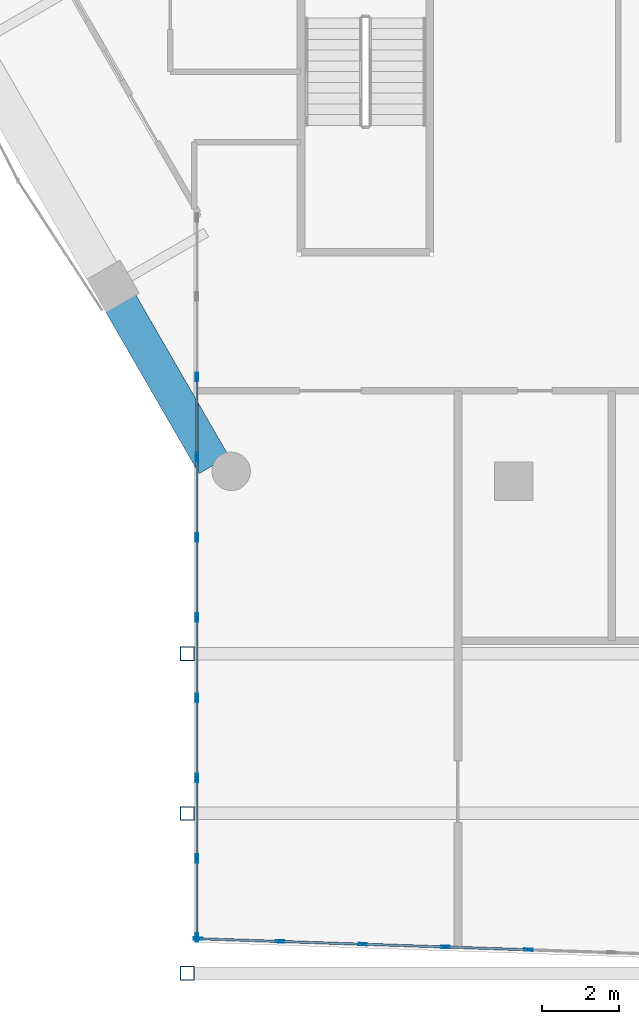
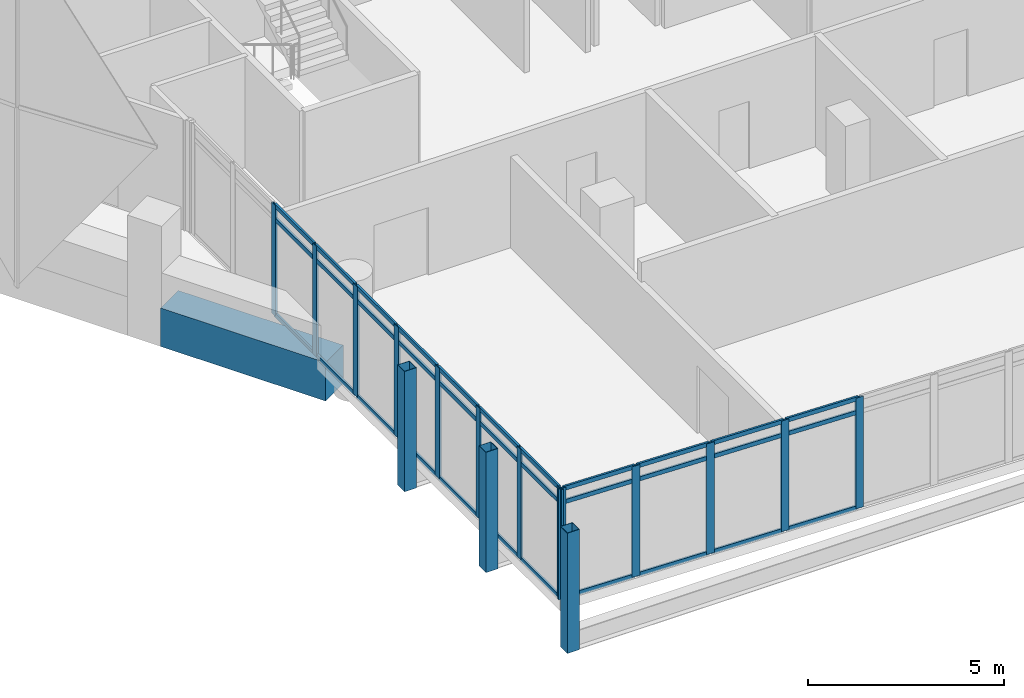
# One storey, part 2 of 37: 49 members, 1 beam, 2 elements without a shape of their own.
"""IFC4 building model written with IfcOpenShell, lengths in metres."""

from ifc_helpers import new_model, si_unit, direction, frame, origin, origin_2d, place, context, subcontext, project, spatial, rectangle, hollow_rectangle, extrude, material, material_profile, profile_set, type_object, element, aggregate, save


model = new_model("IFC4")

# Units and contexts
model_context = context("Model", 3, precision=1e-05, world=origin(), true_north=direction((0.0, 1.0)))
body_context = subcontext(model_context, "Body", "Model", "MODEL_VIEW")
ifc_project = project(units=[si_unit("LENGTHUNIT", "METRE"), si_unit("AREAUNIT", "SQUARE_METRE"), si_unit("VOLUMEUNIT", "CUBIC_METRE"), si_unit("PLANEANGLEUNIT", "RADIAN"), si_unit("MASSUNIT", "GRAM", prefix="KILO")], contexts=[model_context])

# Site, building, storey
site_placement = place(None, origin())
site = spatial("IfcSite", under=ifc_project, at=site_placement, CompositionType="ELEMENT")
building_placement = place(site_placement, origin())
building = spatial("IfcBuilding", under=site, at=building_placement, Name="Ostrander Bayou Hotel Tower", CompositionType="ELEMENT")
storey_placement = place(building_placement, frame((0.0, 0.0, 198.25)))
storey = spatial("IfcBuildingStorey", under=building, at=storey_placement, Name="L49", CompositionType="ELEMENT", Elevation=198.25)

# Curtain wall, members
ifc_material_1 = material(Name="Aluminium and clear glass", Category="aluminium")
curtain_wall_type = type_object("IfcCurtainWallType", Name="CW-BAR glazed wall", PredefinedType="NOTDEFINED", material=ifc_material_1)
curtain_wall_1_placement = place(storey_placement, origin())
curtain_wall_1 = element("IfcCurtainWall", 1, at=curtain_wall_1_placement, inside=storey, type_object=curtain_wall_type, Name="CW-BAR L49:SB4S:E", PredefinedType="NOTDEFINED")
ifc_material_2 = material(Name="Aluminium", Category="aluminium")
ifc_material_profile_1 = material_profile(ifc_material_2, hollow_rectangle(XDim=0.06005859375, YDim=0.219970703125, WallThickness=0.00390625, at=origin_2d()))
ifc_profile_set_1 = profile_set([ifc_material_profile_1], Name="Aluminium")
member_type_1 = type_object("IfcMemberType", Name="CW-BR mullion 60 x 220 mm", PredefinedType="MULLION", material=ifc_profile_set_1)
member_1_placement = place(storey_placement, frame((-11.857177734375, -14.63818359375, 0.0), z_axis=(0.0, 0.0, 1.0), x_axis=(1.0, 0.0, 0.0)))
member_1 = element("IfcMember", 2, at=member_1_placement, type_object=member_type_1, Name="CW-BAR mullion 3", PredefinedType="MULLION", context=body_context, shape_type="SweptSolid", body=[
    extrude(hollow_rectangle(XDim=0.06005859375, YDim=0.219970703125, WallThickness=0.00390625, at=origin_2d()), origin(), (0.0, 0.0, 1.0), 3.449951171875),
])
member_2_placement = place(storey_placement, frame((-11.857177734375, -16.72607421875, 0.0), z_axis=(0.0, 0.0, 1.0), x_axis=(1.0, 0.0, 0.0)))
member_2 = element("IfcMember", 3, at=member_2_placement, type_object=member_type_1, Name="CW-BAR mullion 4", PredefinedType="MULLION", context=body_context, shape_type="SweptSolid", body=[
    extrude(hollow_rectangle(XDim=0.06005859375, YDim=0.219970703125, WallThickness=0.00390625, at=origin_2d()), origin(), (0.0, 0.0, 1.0), 3.449951171875),
])
member_3_placement = place(storey_placement, frame((-11.857177734375, -18.813720703125, 0.0), z_axis=(0.0, 0.0, 1.0), x_axis=(1.0, 0.0, 0.0)))
member_3 = element("IfcMember", 4, at=member_3_placement, type_object=member_type_1, Name="CW-BAR mullion 5", PredefinedType="MULLION", context=body_context, shape_type="SweptSolid", body=[
    extrude(hollow_rectangle(XDim=0.06005859375, YDim=0.219970703125, WallThickness=0.00390625, at=origin_2d()), origin(), (0.0, 0.0, 1.0), 3.449951171875),
])
member_4_placement = place(storey_placement, frame((-11.857177734375, -20.9013671875, 0.0), z_axis=(0.0, 0.0, 1.0), x_axis=(1.0, 0.0, 0.0)))
member_4 = element("IfcMember", 5, at=member_4_placement, type_object=member_type_1, Name="CW-BAR mullion 6", PredefinedType="MULLION", context=body_context, shape_type="SweptSolid", body=[
    extrude(hollow_rectangle(XDim=0.06005859375, YDim=0.219970703125, WallThickness=0.00390625, at=origin_2d()), origin(), (0.0, 0.0, 1.0), 3.449951171875),
])
member_5_placement = place(storey_placement, frame((-11.857177734375, -22.9892578125, 0.0), z_axis=(0.0, 0.0, 1.0), x_axis=(1.0, 0.0, 0.0)))
member_5 = element("IfcMember", 6, at=member_5_placement, type_object=member_type_1, Name="CW-BAR mullion 7", PredefinedType="MULLION", context=body_context, shape_type="SweptSolid", body=[
    extrude(hollow_rectangle(XDim=0.06005859375, YDim=0.219970703125, WallThickness=0.00390625, at=origin_2d()), origin(), (0.0, 0.0, 1.0), 3.449951171875),
])
member_6_placement = place(storey_placement, frame((-11.857177734375, -25.076904296875, 0.0), z_axis=(0.0, 0.0, 1.0), x_axis=(1.0, 0.0, 0.0)))
member_6 = element("IfcMember", 7, at=member_6_placement, type_object=member_type_1, Name="CW-BAR mullion 8", PredefinedType="MULLION", context=body_context, shape_type="SweptSolid", body=[
    extrude(hollow_rectangle(XDim=0.06005859375, YDim=0.219970703125, WallThickness=0.00390625, at=origin_2d()), origin(), (0.0, 0.0, 1.0), 3.449951171875),
])
member_7_placement = place(storey_placement, frame((-11.857177734375, -27.164794921875, 0.0), z_axis=(0.0, 0.0, 1.0), x_axis=(1.0, 0.0, 0.0)))
member_7 = element("IfcMember", 8, at=member_7_placement, type_object=member_type_1, Name="CW-BAR mullion 9", PredefinedType="MULLION", context=body_context, shape_type="SweptSolid", body=[
    extrude(hollow_rectangle(XDim=0.06005859375, YDim=0.219970703125, WallThickness=0.00390625, at=origin_2d()), origin(), (0.0, 0.0, 1.0), 3.449951171875),
])
member_8_placement = place(storey_placement, frame((-11.857177734375, -29.222412109375, 0.0), z_axis=(0.0, 0.0, 1.0), x_axis=(1.0, 0.0, 0.0)))
member_8 = element("IfcMember", 9, at=member_8_placement, type_object=member_type_1, Name="CW-BAR mullion 10", PredefinedType="MULLION", context=body_context, shape_type="SweptSolid", body=[
    extrude(hollow_rectangle(XDim=0.06005859375, YDim=0.219970703125, WallThickness=0.00390625, at=origin_2d()), origin(), (0.0, 0.0, 1.0), 3.449951171875),
])

curtain_wall_2_placement = place(storey_placement, origin())
curtain_wall_2 = element("IfcCurtainWall", 10, at=curtain_wall_2_placement, inside=storey, type_object=curtain_wall_type, Name="CW-BAR L49:SB4S:T", PredefinedType="NOTDEFINED")
member_9_placement = place(storey_placement, frame((-11.8271484375, -29.25341796875, 0.0), z_axis=(0.0, 0.0, 1.0), x_axis=(0.03350511268, 0.999438546097, 0.0)))
member_9 = element("IfcMember", 11, at=member_9_placement, type_object=member_type_1, Name="CW-BAR mullion 1", PredefinedType="MULLION", context=body_context, shape_type="SweptSolid", body=[
    extrude(hollow_rectangle(XDim=0.06005859375, YDim=0.219970703125, WallThickness=0.00390625, at=origin_2d()), origin(), (0.0, 0.0, 1.0), 3.449951171875),
])
member_10_placement = place(storey_placement, frame((-9.701416015625, -29.32470703125, 0.0), z_axis=(0.0, 0.0, 1.0), x_axis=(0.03350511268, 0.999438546097, 0.0)))
member_10 = element("IfcMember", 12, at=member_10_placement, type_object=member_type_1, Name="CW-BAR mullion 2", PredefinedType="MULLION", context=body_context, shape_type="SweptSolid", body=[
    extrude(hollow_rectangle(XDim=0.06005859375, YDim=0.219970703125, WallThickness=0.00390625, at=origin_2d()), origin(), (0.0, 0.0, 1.0), 3.449951171875),
])
member_11_placement = place(storey_placement, frame((-7.54541015625, -29.39697265625, 0.0), z_axis=(0.0, 0.0, 1.0), x_axis=(0.03350511268, 0.999438546097, 0.0)))
member_11 = element("IfcMember", 13, at=member_11_placement, type_object=member_type_1, Name="CW-BAR mullion 3", PredefinedType="MULLION", context=body_context, shape_type="SweptSolid", body=[
    extrude(hollow_rectangle(XDim=0.06005859375, YDim=0.219970703125, WallThickness=0.00390625, at=origin_2d()), origin(), (0.0, 0.0, 1.0), 3.449951171875),
])
member_12_placement = place(storey_placement, frame((-5.3896484375, -29.46923828125, 0.0), z_axis=(0.0, 0.0, 1.0), x_axis=(0.03350511268, 0.999438546097, 0.0)))
member_12 = element("IfcMember", 14, at=member_12_placement, type_object=member_type_1, Name="CW-BAR mullion 4", PredefinedType="MULLION", context=body_context, shape_type="SweptSolid", body=[
    extrude(hollow_rectangle(XDim=0.06005859375, YDim=0.219970703125, WallThickness=0.00390625, at=origin_2d()), origin(), (0.0, 0.0, 1.0), 3.449951171875),
])
member_13_placement = place(storey_placement, frame((-3.23388671875, -29.54150390625, 0.0), z_axis=(0.0, 0.0, 1.0), x_axis=(0.03350511268, 0.999438546097, 0.0)))
member_13 = element("IfcMember", 15, at=member_13_placement, type_object=member_type_1, Name="CW-BAR mullion 5", PredefinedType="MULLION", context=body_context, shape_type="SweptSolid", body=[
    extrude(hollow_rectangle(XDim=0.06005859375, YDim=0.219970703125, WallThickness=0.00390625, at=origin_2d()), origin(), (0.0, 0.0, 1.0), 3.449951171875),
])

# Member
ifc_material_3 = material(Name="Aluminium", Category="aluminium")
ifc_material_profile_2 = material_profile(ifc_material_3, hollow_rectangle(XDim=0.06005859375, YDim=0.1298828125, WallThickness=0.00390625, at=origin_2d()))
ifc_profile_set_2 = profile_set([ifc_material_profile_2], Name="Aluminium")
member_type_2 = type_object("IfcMemberType", Name="CW-BR transom 60 x 130 mm", PredefinedType="USERDEFINED", material=ifc_profile_set_2)
member_14_placement = place(storey_placement, frame((-11.857177734375, -14.668212890625, 0.030029296875), z_axis=(0.0, -1.0, 0.0), x_axis=(1.0, 0.0, 0.0)))
member_14 = element("IfcMember", 16, at=member_14_placement, type_object=member_type_2, Name="CW-BAR transom 3.1", ObjectType="TRANSOM", PredefinedType="USERDEFINED", context=body_context, shape_type="SweptSolid", body=[
    extrude(hollow_rectangle(XDim=0.06005859375, YDim=0.1298828125, WallThickness=0.00390625, at=origin_2d()), origin(), (0.0, 0.0, 1.0), 2.02783203125),
])

member_15_placement = place(storey_placement, frame((-11.857177734375, -14.668212890625, 3.0), z_axis=(0.0, -1.0, 0.0), x_axis=(1.0, 0.0, 0.0)))
member_15 = element("IfcMember", 17, at=member_15_placement, type_object=member_type_2, Name="CW-BAR transom 3.2", ObjectType="TRANSOM", PredefinedType="USERDEFINED", context=body_context, shape_type="SweptSolid", body=[
    extrude(hollow_rectangle(XDim=0.06005859375, YDim=0.1298828125, WallThickness=0.00390625, at=origin_2d()), origin(), (0.0, 0.0, 1.0), 2.02783203125),
])

member_16_placement = place(storey_placement, frame((-11.857177734375, -14.668212890625, 3.419921875), z_axis=(0.0, -1.0, 0.0), x_axis=(1.0, 0.0, 0.0)))
member_16 = element("IfcMember", 18, at=member_16_placement, type_object=member_type_2, Name="CW-BAR transom 3.3", ObjectType="TRANSOM", PredefinedType="USERDEFINED", context=body_context, shape_type="SweptSolid", body=[
    extrude(hollow_rectangle(XDim=0.06005859375, YDim=0.1298828125, WallThickness=0.00390625, at=origin_2d()), origin(), (0.0, 0.0, 1.0), 2.02783203125),
])

member_17_placement = place(storey_placement, frame((-11.857177734375, -16.755859375, 0.030029296875), z_axis=(0.0, -1.0, 0.0), x_axis=(1.0, 0.0, 0.0)))
member_17 = element("IfcMember", 19, at=member_17_placement, type_object=member_type_2, Name="CW-BAR transom 4.1", ObjectType="TRANSOM", PredefinedType="USERDEFINED", context=body_context, shape_type="SweptSolid", body=[
    extrude(hollow_rectangle(XDim=0.06005859375, YDim=0.1298828125, WallThickness=0.00390625, at=origin_2d()), origin(), (0.0, 0.0, 1.0), 2.02783203125),
])

member_18_placement = place(storey_placement, frame((-11.857177734375, -16.755859375, 3.0), z_axis=(0.0, -1.0, 0.0), x_axis=(1.0, 0.0, 0.0)))
member_18 = element("IfcMember", 20, at=member_18_placement, type_object=member_type_2, Name="CW-BAR transom 4.2", ObjectType="TRANSOM", PredefinedType="USERDEFINED", context=body_context, shape_type="SweptSolid", body=[
    extrude(hollow_rectangle(XDim=0.06005859375, YDim=0.1298828125, WallThickness=0.00390625, at=origin_2d()), origin(), (0.0, 0.0, 1.0), 2.02783203125),
])

member_19_placement = place(storey_placement, frame((-11.857177734375, -16.755859375, 3.419921875), z_axis=(0.0, -1.0, 0.0), x_axis=(1.0, 0.0, 0.0)))
member_19 = element("IfcMember", 21, at=member_19_placement, type_object=member_type_2, Name="CW-BAR transom 4.3", ObjectType="TRANSOM", PredefinedType="USERDEFINED", context=body_context, shape_type="SweptSolid", body=[
    extrude(hollow_rectangle(XDim=0.06005859375, YDim=0.1298828125, WallThickness=0.00390625, at=origin_2d()), origin(), (0.0, 0.0, 1.0), 2.02783203125),
])

member_20_placement = place(storey_placement, frame((-11.857177734375, -18.84375, 0.030029296875), z_axis=(0.0, -1.0, 0.0), x_axis=(1.0, 0.0, 0.0)))
member_20 = element("IfcMember", 22, at=member_20_placement, type_object=member_type_2, Name="CW-BAR transom 5.1", ObjectType="TRANSOM", PredefinedType="USERDEFINED", context=body_context, shape_type="SweptSolid", body=[
    extrude(hollow_rectangle(XDim=0.06005859375, YDim=0.1298828125, WallThickness=0.00390625, at=origin_2d()), origin(), (0.0, 0.0, 1.0), 2.02783203125),
])

member_21_placement = place(storey_placement, frame((-11.857177734375, -18.84375, 3.0), z_axis=(0.0, -1.0, 0.0), x_axis=(1.0, 0.0, 0.0)))
member_21 = element("IfcMember", 23, at=member_21_placement, type_object=member_type_2, Name="CW-BAR transom 5.2", ObjectType="TRANSOM", PredefinedType="USERDEFINED", context=body_context, shape_type="SweptSolid", body=[
    extrude(hollow_rectangle(XDim=0.06005859375, YDim=0.1298828125, WallThickness=0.00390625, at=origin_2d()), origin(), (0.0, 0.0, 1.0), 2.02783203125),
])

member_22_placement = place(storey_placement, frame((-11.857177734375, -18.84375, 3.419921875), z_axis=(0.0, -1.0, 0.0), x_axis=(1.0, 0.0, 0.0)))
member_22 = element("IfcMember", 24, at=member_22_placement, type_object=member_type_2, Name="CW-BAR transom 5.3", ObjectType="TRANSOM", PredefinedType="USERDEFINED", context=body_context, shape_type="SweptSolid", body=[
    extrude(hollow_rectangle(XDim=0.06005859375, YDim=0.1298828125, WallThickness=0.00390625, at=origin_2d()), origin(), (0.0, 0.0, 1.0), 2.02783203125),
])

member_23_placement = place(storey_placement, frame((-11.857177734375, -20.931396484375, 0.030029296875), z_axis=(0.0, -1.0, 0.0), x_axis=(1.0, 0.0, 0.0)))
member_23 = element("IfcMember", 25, at=member_23_placement, type_object=member_type_2, Name="CW-BAR transom 6.1", ObjectType="TRANSOM", PredefinedType="USERDEFINED", context=body_context, shape_type="SweptSolid", body=[
    extrude(hollow_rectangle(XDim=0.06005859375, YDim=0.1298828125, WallThickness=0.00390625, at=origin_2d()), origin(), (0.0, 0.0, 1.0), 2.02783203125),
])

member_24_placement = place(storey_placement, frame((-11.857177734375, -20.931396484375, 3.0), z_axis=(0.0, -1.0, 0.0), x_axis=(1.0, 0.0, 0.0)))
member_24 = element("IfcMember", 26, at=member_24_placement, type_object=member_type_2, Name="CW-BAR transom 6.2", ObjectType="TRANSOM", PredefinedType="USERDEFINED", context=body_context, shape_type="SweptSolid", body=[
    extrude(hollow_rectangle(XDim=0.06005859375, YDim=0.1298828125, WallThickness=0.00390625, at=origin_2d()), origin(), (0.0, 0.0, 1.0), 2.02783203125),
])

member_25_placement = place(storey_placement, frame((-11.857177734375, -20.931396484375, 3.419921875), z_axis=(0.0, -1.0, 0.0), x_axis=(1.0, 0.0, 0.0)))
member_25 = element("IfcMember", 27, at=member_25_placement, type_object=member_type_2, Name="CW-BAR transom 6.3", ObjectType="TRANSOM", PredefinedType="USERDEFINED", context=body_context, shape_type="SweptSolid", body=[
    extrude(hollow_rectangle(XDim=0.06005859375, YDim=0.1298828125, WallThickness=0.00390625, at=origin_2d()), origin(), (0.0, 0.0, 1.0), 2.02783203125),
])

member_26_placement = place(storey_placement, frame((-11.857177734375, -23.019287109375, 0.030029296875), z_axis=(0.0, -1.0, 0.0), x_axis=(1.0, 0.0, 0.0)))
member_26 = element("IfcMember", 28, at=member_26_placement, type_object=member_type_2, Name="CW-BAR transom 7.1", ObjectType="TRANSOM", PredefinedType="USERDEFINED", context=body_context, shape_type="SweptSolid", body=[
    extrude(hollow_rectangle(XDim=0.06005859375, YDim=0.1298828125, WallThickness=0.00390625, at=origin_2d()), origin(), (0.0, 0.0, 1.0), 2.027587890625),
])

member_27_placement = place(storey_placement, frame((-11.857177734375, -23.019287109375, 3.0), z_axis=(0.0, -1.0, 0.0), x_axis=(1.0, 0.0, 0.0)))
member_27 = element("IfcMember", 29, at=member_27_placement, type_object=member_type_2, Name="CW-BAR transom 7.2", ObjectType="TRANSOM", PredefinedType="USERDEFINED", context=body_context, shape_type="SweptSolid", body=[
    extrude(hollow_rectangle(XDim=0.06005859375, YDim=0.1298828125, WallThickness=0.00390625, at=origin_2d()), origin(), (0.0, 0.0, 1.0), 2.027587890625),
])

member_28_placement = place(storey_placement, frame((-11.857177734375, -23.019287109375, 3.419921875), z_axis=(0.0, -1.0, 0.0), x_axis=(1.0, 0.0, 0.0)))
member_28 = element("IfcMember", 30, at=member_28_placement, type_object=member_type_2, Name="CW-BAR transom 7.3", ObjectType="TRANSOM", PredefinedType="USERDEFINED", context=body_context, shape_type="SweptSolid", body=[
    extrude(hollow_rectangle(XDim=0.06005859375, YDim=0.1298828125, WallThickness=0.00390625, at=origin_2d()), origin(), (0.0, 0.0, 1.0), 2.027587890625),
])

member_29_placement = place(storey_placement, frame((-11.857177734375, -25.10693359375, 0.030029296875), z_axis=(0.0, -1.0, 0.0), x_axis=(1.0, 0.0, 0.0)))
member_29 = element("IfcMember", 31, at=member_29_placement, type_object=member_type_2, Name="CW-BAR transom 8.1", ObjectType="TRANSOM", PredefinedType="USERDEFINED", context=body_context, shape_type="SweptSolid", body=[
    extrude(hollow_rectangle(XDim=0.06005859375, YDim=0.1298828125, WallThickness=0.00390625, at=origin_2d()), origin(), (0.0, 0.0, 1.0), 2.02783203125),
])

member_30_placement = place(storey_placement, frame((-11.857177734375, -25.10693359375, 3.0), z_axis=(0.0, -1.0, 0.0), x_axis=(1.0, 0.0, 0.0)))
member_30 = element("IfcMember", 32, at=member_30_placement, type_object=member_type_2, Name="CW-BAR transom 8.2", ObjectType="TRANSOM", PredefinedType="USERDEFINED", context=body_context, shape_type="SweptSolid", body=[
    extrude(hollow_rectangle(XDim=0.06005859375, YDim=0.1298828125, WallThickness=0.00390625, at=origin_2d()), origin(), (0.0, 0.0, 1.0), 2.02783203125),
])

member_31_placement = place(storey_placement, frame((-11.857177734375, -25.10693359375, 3.419921875), z_axis=(0.0, -1.0, 0.0), x_axis=(1.0, 0.0, 0.0)))
member_31 = element("IfcMember", 33, at=member_31_placement, type_object=member_type_2, Name="CW-BAR transom 8.3", ObjectType="TRANSOM", PredefinedType="USERDEFINED", context=body_context, shape_type="SweptSolid", body=[
    extrude(hollow_rectangle(XDim=0.06005859375, YDim=0.1298828125, WallThickness=0.00390625, at=origin_2d()), origin(), (0.0, 0.0, 1.0), 2.02783203125),
])

member_32_placement = place(storey_placement, frame((-11.857177734375, -27.19482421875, 0.030029296875), z_axis=(0.0, -1.0, 0.0), x_axis=(1.0, 0.0, 0.0)))
member_32 = element("IfcMember", 34, at=member_32_placement, type_object=member_type_2, Name="CW-BAR transom 9.1", ObjectType="TRANSOM", PredefinedType="USERDEFINED", context=body_context, shape_type="SweptSolid", body=[
    extrude(hollow_rectangle(XDim=0.06005859375, YDim=0.1298828125, WallThickness=0.00390625, at=origin_2d()), origin(), (0.0, 0.0, 1.0), 1.99755859375),
])

member_33_placement = place(storey_placement, frame((-11.857177734375, -27.19482421875, 3.0), z_axis=(0.0, -1.0, 0.0), x_axis=(1.0, 0.0, 0.0)))
member_33 = element("IfcMember", 35, at=member_33_placement, type_object=member_type_2, Name="CW-BAR transom 9.2", ObjectType="TRANSOM", PredefinedType="USERDEFINED", context=body_context, shape_type="SweptSolid", body=[
    extrude(hollow_rectangle(XDim=0.06005859375, YDim=0.1298828125, WallThickness=0.00390625, at=origin_2d()), origin(), (0.0, 0.0, 1.0), 1.99755859375),
])

member_34_placement = place(storey_placement, frame((-11.857177734375, -27.19482421875, 3.419921875), z_axis=(0.0, -1.0, 0.0), x_axis=(1.0, 0.0, 0.0)))
member_34 = element("IfcMember", 36, at=member_34_placement, type_object=member_type_2, Name="CW-BAR transom 9.3", ObjectType="TRANSOM", PredefinedType="USERDEFINED", context=body_context, shape_type="SweptSolid", body=[
    extrude(hollow_rectangle(XDim=0.06005859375, YDim=0.1298828125, WallThickness=0.00390625, at=origin_2d()), origin(), (0.0, 0.0, 1.0), 1.99755859375),
])

aggregate(curtain_wall_1, [member_1, member_2, member_3, member_4, member_5, member_6, member_7, member_8, member_14, member_15, member_16, member_17, member_18, member_19, member_20, member_21, member_22, member_23, member_24, member_25, member_26, member_27, member_28, member_29, member_30, member_31, member_32, member_33, member_34])

member_35_placement = place(storey_placement, frame((-11.797119140625, -29.25439453125, 0.030029296875), z_axis=(0.999437145028, -0.033546879705, 0.0), x_axis=(0.033546879705, 0.999437145028, 0.0)))
member_35 = element("IfcMember", 37, at=member_35_placement, type_object=member_type_2, Name="CW-BAR transom 1.1", ObjectType="TRANSOM", PredefinedType="USERDEFINED", context=body_context, shape_type="SweptSolid", body=[
    extrude(hollow_rectangle(XDim=0.06005859375, YDim=0.1298828125, WallThickness=0.00390625, at=origin_2d()), origin(), (0.0, 0.0, 1.0), 2.06689453125),
])

member_36_placement = place(storey_placement, frame((-11.797119140625, -29.25439453125, 3.0), z_axis=(0.999437145028, -0.033546879705, 0.0), x_axis=(0.033546879705, 0.999437145028, 0.0)))
member_36 = element("IfcMember", 38, at=member_36_placement, type_object=member_type_2, Name="CW-BAR transom 1.2", ObjectType="TRANSOM", PredefinedType="USERDEFINED", context=body_context, shape_type="SweptSolid", body=[
    extrude(hollow_rectangle(XDim=0.06005859375, YDim=0.1298828125, WallThickness=0.00390625, at=origin_2d()), origin(), (0.0, 0.0, 1.0), 2.06689453125),
])

member_37_placement = place(storey_placement, frame((-11.797119140625, -29.25439453125, 3.419921875), z_axis=(0.999437145028, -0.033546879705, 0.0), x_axis=(0.033546879705, 0.999437145028, 0.0)))
member_37 = element("IfcMember", 39, at=member_37_placement, type_object=member_type_2, Name="CW-BAR transom 1.3", ObjectType="TRANSOM", PredefinedType="USERDEFINED", context=body_context, shape_type="SweptSolid", body=[
    extrude(hollow_rectangle(XDim=0.06005859375, YDim=0.1298828125, WallThickness=0.00390625, at=origin_2d()), origin(), (0.0, 0.0, 1.0), 2.06689453125),
])

member_38_placement = place(storey_placement, frame((-9.67138671875, -29.32568359375, 0.030029296875), z_axis=(0.99943777778, -0.033528023297, 0.0), x_axis=(0.033528023297, 0.99943777778, 0.0)))
member_38 = element("IfcMember", 40, at=member_38_placement, type_object=member_type_2, Name="CW-BAR transom 2.1", ObjectType="TRANSOM", PredefinedType="USERDEFINED", context=body_context, shape_type="SweptSolid", body=[
    extrude(hollow_rectangle(XDim=0.06005859375, YDim=0.1298828125, WallThickness=0.00390625, at=origin_2d()), origin(), (0.0, 0.0, 1.0), 2.09716796875),
])

member_39_placement = place(storey_placement, frame((-9.67138671875, -29.32568359375, 3.0), z_axis=(0.99943777778, -0.033528023297, 0.0), x_axis=(0.033528023297, 0.99943777778, 0.0)))
member_39 = element("IfcMember", 41, at=member_39_placement, type_object=member_type_2, Name="CW-BAR transom 2.2", ObjectType="TRANSOM", PredefinedType="USERDEFINED", context=body_context, shape_type="SweptSolid", body=[
    extrude(hollow_rectangle(XDim=0.06005859375, YDim=0.1298828125, WallThickness=0.00390625, at=origin_2d()), origin(), (0.0, 0.0, 1.0), 2.09716796875),
])

member_40_placement = place(storey_placement, frame((-9.67138671875, -29.32568359375, 3.419921875), z_axis=(0.99943777778, -0.033528023297, 0.0), x_axis=(0.033528023297, 0.99943777778, 0.0)))
member_40 = element("IfcMember", 42, at=member_40_placement, type_object=member_type_2, Name="CW-BAR transom 2.3", ObjectType="TRANSOM", PredefinedType="USERDEFINED", context=body_context, shape_type="SweptSolid", body=[
    extrude(hollow_rectangle(XDim=0.06005859375, YDim=0.1298828125, WallThickness=0.00390625, at=origin_2d()), origin(), (0.0, 0.0, 1.0), 2.09716796875),
])

member_41_placement = place(storey_placement, frame((-7.515625, -29.39794921875, 0.030029296875), z_axis=(0.99943777778, -0.033528023297, 0.0), x_axis=(0.033528023297, 0.99943777778, 0.0)))
member_41 = element("IfcMember", 43, at=member_41_placement, type_object=member_type_2, Name="CW-BAR transom 3.1", ObjectType="TRANSOM", PredefinedType="USERDEFINED", context=body_context, shape_type="SweptSolid", body=[
    extrude(hollow_rectangle(XDim=0.06005859375, YDim=0.1298828125, WallThickness=0.00390625, at=origin_2d()), origin(), (0.0, 0.0, 1.0), 2.09716796875),
])

member_42_placement = place(storey_placement, frame((-7.515625, -29.39794921875, 3.0), z_axis=(0.99943777778, -0.033528023297, 0.0), x_axis=(0.033528023297, 0.99943777778, 0.0)))
member_42 = element("IfcMember", 44, at=member_42_placement, type_object=member_type_2, Name="CW-BAR transom 3.2", ObjectType="TRANSOM", PredefinedType="USERDEFINED", context=body_context, shape_type="SweptSolid", body=[
    extrude(hollow_rectangle(XDim=0.06005859375, YDim=0.1298828125, WallThickness=0.00390625, at=origin_2d()), origin(), (0.0, 0.0, 1.0), 2.09716796875),
])

member_43_placement = place(storey_placement, frame((-7.515625, -29.39794921875, 3.419921875), z_axis=(0.99943777778, -0.033528023297, 0.0), x_axis=(0.033528023297, 0.99943777778, 0.0)))
member_43 = element("IfcMember", 45, at=member_43_placement, type_object=member_type_2, Name="CW-BAR transom 3.3", ObjectType="TRANSOM", PredefinedType="USERDEFINED", context=body_context, shape_type="SweptSolid", body=[
    extrude(hollow_rectangle(XDim=0.06005859375, YDim=0.1298828125, WallThickness=0.00390625, at=origin_2d()), origin(), (0.0, 0.0, 1.0), 2.09716796875),
])

member_44_placement = place(storey_placement, frame((-5.359619140625, -29.47021484375, 0.030029296875), z_axis=(0.99943777778, -0.033528023297, 0.0), x_axis=(0.033528023297, 0.99943777778, 0.0)))
member_44 = element("IfcMember", 46, at=member_44_placement, type_object=member_type_2, Name="CW-BAR transom 4.1", ObjectType="TRANSOM", PredefinedType="USERDEFINED", context=body_context, shape_type="SweptSolid", body=[
    extrude(hollow_rectangle(XDim=0.06005859375, YDim=0.1298828125, WallThickness=0.00390625, at=origin_2d()), origin(), (0.0, 0.0, 1.0), 2.09716796875),
])

member_45_placement = place(storey_placement, frame((-5.359619140625, -29.47021484375, 3.0), z_axis=(0.99943777778, -0.033528023297, 0.0), x_axis=(0.033528023297, 0.99943777778, 0.0)))
member_45 = element("IfcMember", 47, at=member_45_placement, type_object=member_type_2, Name="CW-BAR transom 4.2", ObjectType="TRANSOM", PredefinedType="USERDEFINED", context=body_context, shape_type="SweptSolid", body=[
    extrude(hollow_rectangle(XDim=0.06005859375, YDim=0.1298828125, WallThickness=0.00390625, at=origin_2d()), origin(), (0.0, 0.0, 1.0), 2.09716796875),
])

member_46_placement = place(storey_placement, frame((-5.359619140625, -29.47021484375, 3.419921875), z_axis=(0.99943777778, -0.033528023297, 0.0), x_axis=(0.033528023297, 0.99943777778, 0.0)))
member_46 = element("IfcMember", 48, at=member_46_placement, type_object=member_type_2, Name="CW-BAR transom 4.3", ObjectType="TRANSOM", PredefinedType="USERDEFINED", context=body_context, shape_type="SweptSolid", body=[
    extrude(hollow_rectangle(XDim=0.06005859375, YDim=0.1298828125, WallThickness=0.00390625, at=origin_2d()), origin(), (0.0, 0.0, 1.0), 2.09716796875),
])

aggregate(curtain_wall_2, [member_9, member_10, member_11, member_12, member_13, member_35, member_36, member_37, member_38, member_39, member_40, member_41, member_42, member_43, member_44, member_45, member_46])

# Beam
ifc_material_4 = material(Name="Concrete f'c 60 MPa", Category="concrete")
ifc_material_profile_3 = material_profile(ifc_material_4, rectangle(XDim=0.89990234375, YDim=1.199951171875, at=origin_2d()))
ifc_profile_set_3 = profile_set([ifc_material_profile_3], Name="Concrete f'c 60 MPa")
beam_type = type_object("IfcBeamType", Name="SP3 spandrel beam 900 x 1200 mm f'c 60 MPa", PredefinedType="SPANDREL", material=ifc_profile_set_3)
beam_placement = place(storey_placement, frame((-13.847412109375, -12.71533203125, -0.60009765625), z_axis=(0.499974254476, -0.866040267459, 0.0), x_axis=(0.866040267459, 0.499974254476, 0.0)))
element("IfcBeam", 49, at=beam_placement, inside=storey, type_object=beam_type, Name="SP3 L49 SW-3", PredefinedType="SPANDREL", context=body_context, shape_type="SweptSolid", body=[
    extrude(rectangle(XDim=0.89990234375, YDim=1.199951171875, at=origin_2d()), origin(), (0.0, 0.0, 1.0), 4.867919921875),
])

# Members
ifc_material_5 = material(Name="Steel ASTM A500 Gr C", Category="steel")
ifc_material_profile_4 = material_profile(ifc_material_5, hollow_rectangle(XDim=0.355712890625, YDim=0.355712890625, WallThickness=0.01171875, at=origin_2d()))
ifc_profile_set_4 = profile_set([ifc_material_profile_4], Name="Steel ASTM A500 Gr C")
member_type_3 = type_object("IfcMemberType", Name="TH2 bar hanger HSS14x14x1/2", PredefinedType="POST", material=ifc_profile_set_4)
for number, where, z_axis, x_axis, name in (
    (50, (-12.110107421875, -21.840576171875, -0.9111328125), (0.0, 0.0, 1.0), (1.0, 0.0, 0.0), "TH2 SB4SA H1-2"),
    (51, (-12.110107421875, -25.995361328125, -0.9111328125), (0.0, 0.0, 1.0), (1.0, 0.0, 0.0), "TH2 SB4SA H2-2"),
    (52, (-12.110107421875, -30.14990234375, -0.9111328125), (0.0, 0.0, 1.0), (1.0, 0.0, 0.0), "TH2 SB4SA H3-2"),
):
    element("IfcMember", number, at=place(storey_placement, frame(where, z_axis=z_axis, x_axis=x_axis)), inside=storey, type_object=member_type_3, Name=name, PredefinedType="POST", context=body_context, shape_type="SweptSolid", body=[
        extrude(hollow_rectangle(XDim=0.355712890625, YDim=0.355712890625, WallThickness=0.01171875, at=origin_2d()), origin(), (0.0, 0.0, 1.0), 3.75),
    ])

save(model, "model.ifc")
